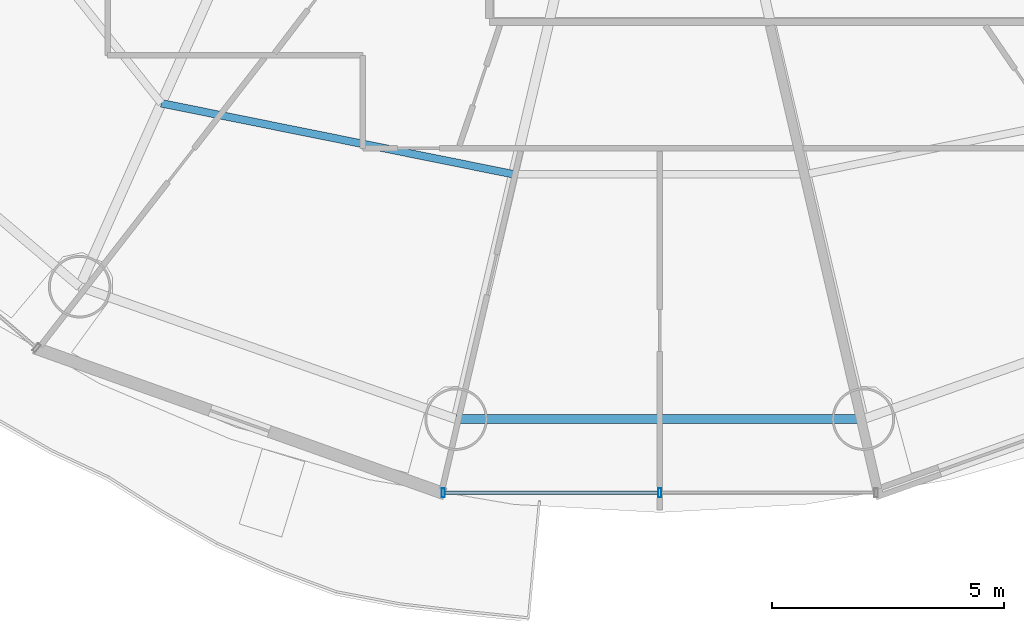
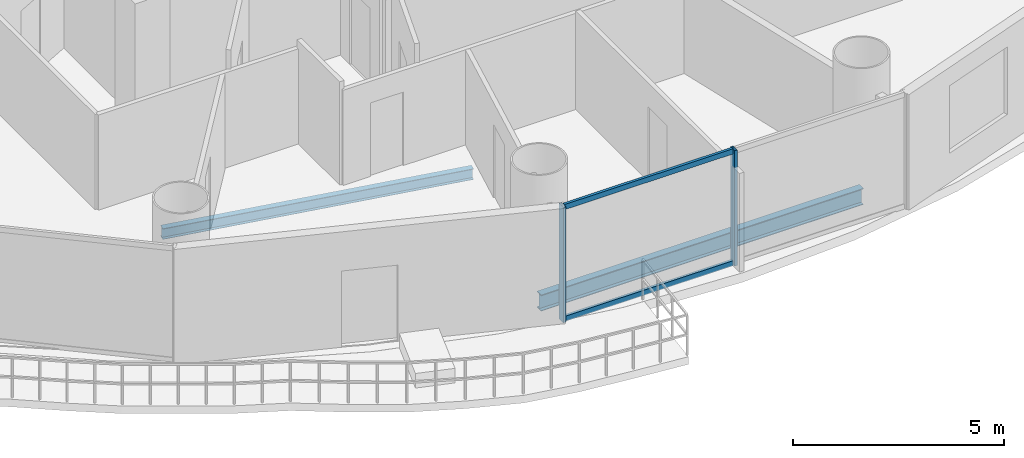
# One storey, part 4 of 26: 4 members, 2 beams, 1 element without a shape of its own.
"""IFC4 building model written with IfcOpenShell, lengths in metres."""

from ifc_helpers import new_model, si_unit, direction, frame, origin, origin_2d, place, context, subcontext, project, spatial, hollow_rectangle, i_section, extrude, source, transform, mapped, material, material_profile, profile_set, type_object, element, aggregate, save


model = new_model("IFC4")

# Units and contexts
model_context = context("Model", 3, precision=1e-05, world=origin(), true_north=direction((-0.2419218956, 0.970295726276)))
body_context = subcontext(model_context, "Body", "Model", "MODEL_VIEW")
ifc_project = project(units=[si_unit("LENGTHUNIT", "METRE"), si_unit("AREAUNIT", "SQUARE_METRE"), si_unit("VOLUMEUNIT", "CUBIC_METRE"), si_unit("PLANEANGLEUNIT", "RADIAN"), si_unit("MASSUNIT", "GRAM", prefix="KILO")], contexts=[model_context])

# Site, building, storey
site_placement = place(None, origin())
site = spatial("IfcSite", under=ifc_project, at=site_placement, CompositionType="ELEMENT")
building_placement = place(site_placement, origin())
building = spatial("IfcBuilding", under=site, at=building_placement, Name="Cobrevalo Terracotta Tower", CompositionType="ELEMENT")
storey_placement = place(building_placement, frame((0.0, 0.0, 142.60009765625)))
storey = spatial("IfcBuildingStorey", under=building, at=storey_placement, Name="L37", CompositionType="ELEMENT", Elevation=142.60009765625)

# Beams
ifc_material_1 = material(Name="Steel S355", Category="steel")
ifc_material_profile_1 = material_profile(ifc_material_1, i_section(OverallWidth=0.1650390625, OverallDepth=0.31005859375, WebThickness=0.005859375, FlangeThickness=0.009765625, at=origin_2d()), Name="W 310x38.7")
ifc_profile_set_1 = profile_set([ifc_material_profile_1], Name="Steel S355")
beam_type_1 = type_object("IfcBeamType", Name="Structural Joist W 310x38.7 (Steel S355)", PredefinedType="JOIST", material=ifc_profile_set_1)
beam_1_placement = place(storey_placement, frame((27.23583984375, 14.838623046875, -0.425048828125), z_axis=(0.980293928329, -0.197544461026, 0.0), x_axis=(0.197544461026, 0.980293928329, 0.0)))
element("IfcBeam", 1, at=beam_1_placement, inside=storey, type_object=beam_type_1, Name="L37 circumferential secondary floor joist 11", PredefinedType="JOIST", context=body_context, shape_type="SweptSolid", body=[
    extrude(i_section(OverallWidth=0.1650390625, OverallDepth=0.31005859375, WebThickness=0.005859375, FlangeThickness=0.009765625, at=origin_2d()), origin(), (0.0, 0.0, 1.0), 7.75634765625),
])
ifc_material_profile_2 = material_profile(ifc_material_1, i_section(OverallWidth=0.194091796875, OverallDepth=0.468994140625, WebThickness=0.011474609375, FlangeThickness=0.0205078125, at=origin_2d()), Name="W 460x106")
ifc_profile_set_2 = profile_set([ifc_material_profile_2], Name="Steel S355")
beam_type_2 = type_object("IfcBeamType", Name="Structural Spandrel W 460x106 (Steel S355)", PredefinedType="SPANDREL", material=ifc_profile_set_2)
beam_2_placement = place(storey_placement, frame((33.600830078125, 8.01806640625, -0.504638671875), z_axis=(1.0, 0.0, 0.0), x_axis=(0.0, 1.0, 0.0)))
element("IfcBeam", 2, at=beam_2_placement, inside=storey, type_object=beam_type_2, Name="L37 perimeter ring spandrel 12", PredefinedType="SPANDREL", context=body_context, shape_type="SweptSolid", body=[
    extrude(i_section(OverallWidth=0.194091796875, OverallDepth=0.468994140625, WebThickness=0.011474609375, FlangeThickness=0.0205078125, at=origin_2d()), origin(), (0.0, 0.0, 1.0), 8.79833984375),
])

# Curtain wall, members
ifc_material_2 = material(Name="Anodized aluminium", Category="aluminium")
curtain_wall_type = type_object("IfcCurtainWallType", Name="Mid-tower high-wind unitised curtain wall CW-U2", PredefinedType="NOTDEFINED", material=ifc_material_2)
curtain_wall_placement = place(storey_placement, origin())
curtain_wall = element("IfcCurtainWall", 3, at=curtain_wall_placement, inside=storey, type_object=curtain_wall_type, Name="L37 curtain wall CW-L37-S12", PredefinedType="NOTDEFINED")
ifc_material_profile_3 = material_profile(ifc_material_2, hollow_rectangle(XDim=0.074951171875, YDim=0.14990234375, WallThickness=0.00439453125, at=origin_2d()), Name="CWT 75x150")
ifc_profile_set_3 = profile_set([ifc_material_profile_3], Name="Anodized aluminium")
member_type_1 = type_object("IfcMemberType", Name="Tower unitised aluminium transom 75x150", PredefinedType="USERDEFINED", material=ifc_profile_set_3)
shared_shape_1 = source(origin(), body_context, "Body", "SweptSolid", [
    extrude(hollow_rectangle(XDim=0.074951171875, YDim=0.14990234375, WallThickness=0.00439453125, at=origin_2d()), origin(), (0.0, 0.0, 1.0), 4.59521484375),
])
member_1_placement = place(storey_placement, frame((33.36474609375, 6.42919921875, 0.0498046875), z_axis=(1.0, 0.0, 0.0), x_axis=(0.0, 1.0, 0.0)))
member_1 = element("IfcMember", 4, at=member_1_placement, type_object=member_type_1, Name="CW-L37-S12 transom B01-T1", ObjectType="TRANSOM", PredefinedType="USERDEFINED", context=body_context, shape_type="MappedRepresentation", body=[
    mapped(shared_shape_1, transform((0.0, 0.0, 0.0), scale=1.0)),
])
member_2_placement = place(storey_placement, frame((33.36474609375, 6.42919921875, 3.27978515625), z_axis=(1.0, 0.0, 0.0), x_axis=(0.0, 1.0, 0.0)))
member_2 = element("IfcMember", 5, at=member_2_placement, type_object=member_type_1, Name="CW-L37-S12 transom B01-T2", ObjectType="TRANSOM", PredefinedType="USERDEFINED", context=body_context, shape_type="MappedRepresentation", body=[
    mapped(shared_shape_1, transform((0.0, 0.0, 0.0), scale=1.0)),
])
ifc_material_profile_4 = material_profile(ifc_material_2, hollow_rectangle(XDim=0.074951171875, YDim=0.199951171875, WallThickness=0.0048828125, at=origin_2d()), Name="CWM 75x200")
ifc_profile_set_4 = profile_set([ifc_material_profile_4], Name="Anodized aluminium")
member_type_2 = type_object("IfcMemberType", Name="Lower/mid tower unitised mullion 75x200", PredefinedType="MULLION", material=ifc_profile_set_4)
shared_shape_2 = source(origin(), body_context, "Body", "SweptSolid", [
    extrude(hollow_rectangle(XDim=0.074951171875, YDim=0.199951171875, WallThickness=0.0048828125, at=origin_2d()), origin(), (0.0, 0.0, 1.0), 3.329833984375),
])
member_3_placement = place(storey_placement, frame((33.32470703125, 6.42919921875, 0.0), z_axis=(0.0, 0.0, 1.0), x_axis=(1.0, 0.0, 0.0)))
member_3 = element("IfcMember", 6, at=member_3_placement, type_object=member_type_2, Name="CW-L37-S12 vertical mullion 01", PredefinedType="MULLION", context=body_context, shape_type="MappedRepresentation", body=[
    mapped(shared_shape_2, transform((0.0, 0.0, 0.0), scale=1.0)),
])
member_4_placement = place(storey_placement, frame((38.0, 6.42919921875, 0.0), z_axis=(0.0, 0.0, 1.0), x_axis=(1.0, 0.0, 0.0)))
member_4 = element("IfcMember", 7, at=member_4_placement, type_object=member_type_2, Name="CW-L37-S12 vertical mullion 02", PredefinedType="MULLION", context=body_context, shape_type="MappedRepresentation", body=[
    mapped(shared_shape_2, transform((0.0, 0.0, 0.0), scale=1.0)),
])
aggregate(curtain_wall, [member_3, member_4, member_1, member_2])

save(model, "model.ifc")
